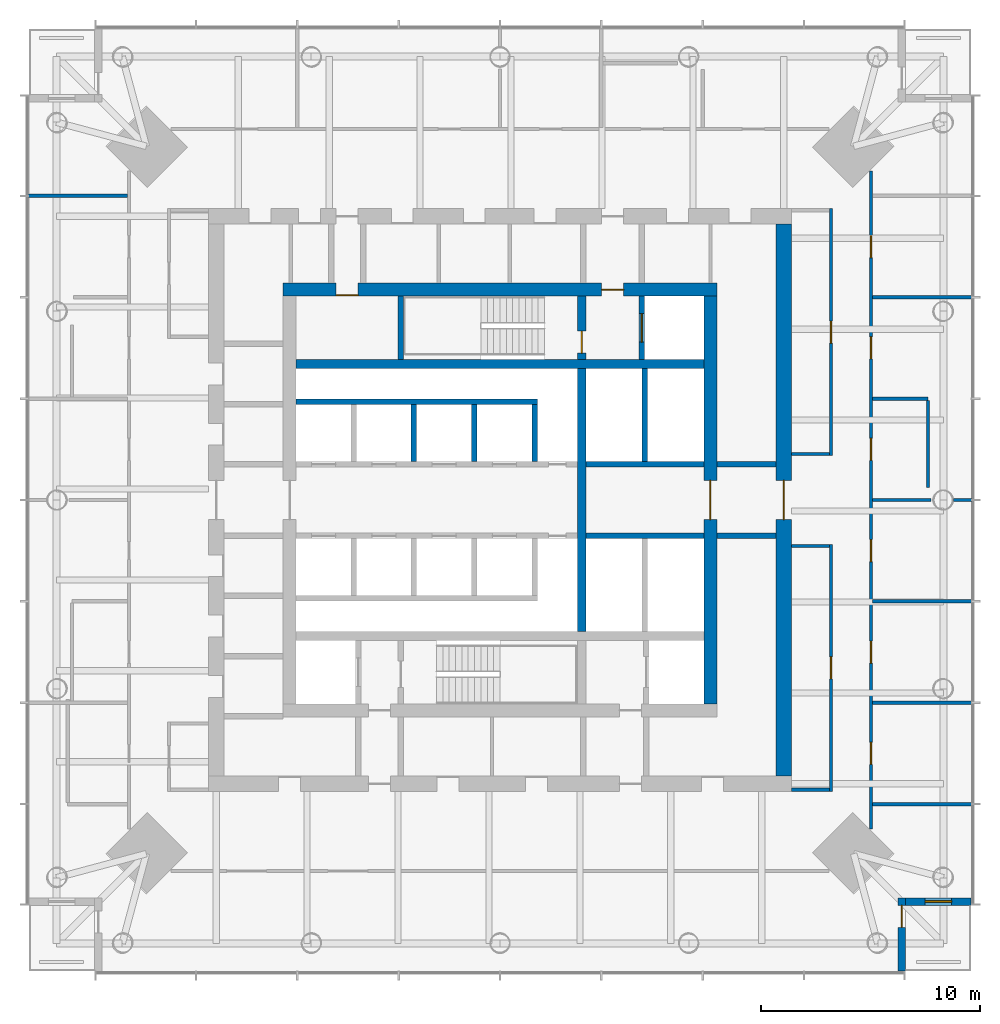
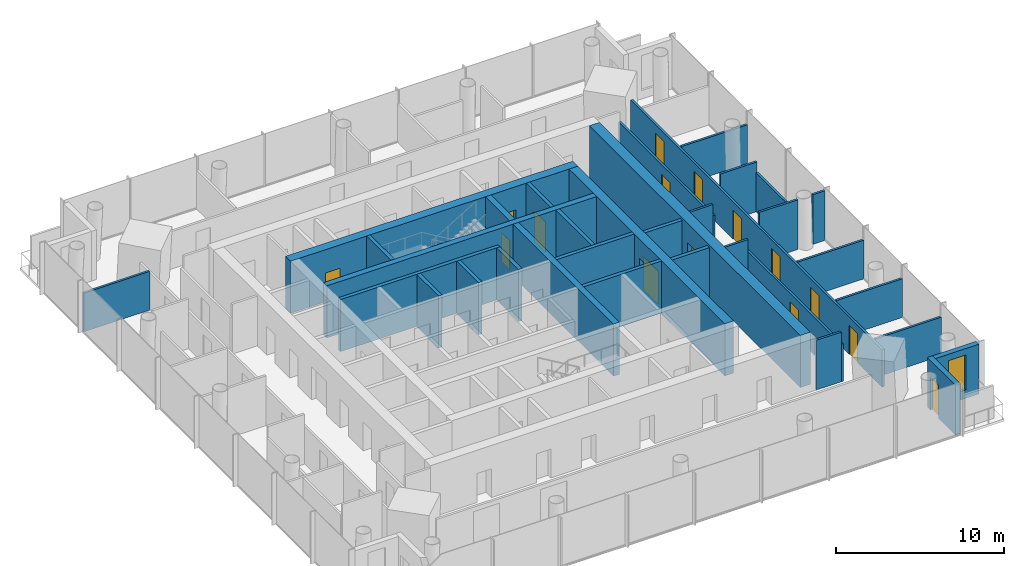
# One storey, part 6 of 9: 34 walls, 15 doors, 1 window, 16 openings.
"""IFC4 building model written with IfcOpenShell, lengths in metres."""

import ifcopenshell
import ifcopenshell.guid

model = None  # the IFC model being written
_history = None  # IfcOwnerHistory: only IFC2X3 demands one
_inside = {}  # id of a spatial element -> (the spatial element, [elements in it])
_under = {}  # id of a project, library or spatial element -> (it, [spatial elements below it])
_declared = {}  # id of a project -> (the project, [libraries it declares])
_typed = {}  # id of a type object -> (the type object, [elements of that type])
_made_of = {}  # id of a material, layer set ... -> (it, [elements and type objects made of it])


def new_model(schema):
    """Start an empty IFC model of exactly this schema.

    Asked for "IFC4X3", IfcOpenShell would pick the latest addendum, in which some entities
    have other attributes; the version numbers below select the first issue.
    IFC2X3 requires an IfcOwnerHistory on every rooted entity: one is made here for all.
    """
    global model, _history
    if schema == "IFC4X3":
        model = ifcopenshell.file(schema_version=(4, 3, 0, 0))
    else:
        model = ifcopenshell.file(schema=schema)
    _inside.clear()
    _under.clear()
    _declared.clear()
    _typed.clear()
    _made_of.clear()
    _history = None
    if model.schema == "IFC2X3":
        org = make("IfcOrganization", Name="unknown")
        user = make(
            "IfcPersonAndOrganization",
            ThePerson=make("IfcPerson", FamilyName="unknown"),
            TheOrganization=org,
        )
        app = make(
            "IfcApplication",
            ApplicationDeveloper=org,
            Version="unknown",
            ApplicationFullName="unknown",
            ApplicationIdentifier="unknown",
        )
        _history = make(
            "IfcOwnerHistory",
            OwningUser=user,
            OwningApplication=app,
            ChangeAction="ADDED",
            CreationDate=0,
        )
    return model


def make(cls, **values):
    """One entity of the class cls with the attributes given. An attribute that is None is left unset."""
    return model.create_entity(
        cls, **{name: value for name, value in values.items() if value is not None}
    )


def rooted(cls, **values):
    """An entity with a GlobalId (a new one), such as an element, a storey or a relation."""
    return make(cls, GlobalId=ifcopenshell.guid.new(), OwnerHistory=_history, **values)


def si_unit(unit_type, name, prefix=None):
    """IfcSIUnit, for example si_unit("LENGTHUNIT", "METRE", prefix="MILLI")."""
    return make("IfcSIUnit", UnitType=unit_type, Prefix=prefix, Name=name)


def assignment(units):
    """IfcUnitAssignment: the units of a project."""
    return None if units is None else make("IfcUnitAssignment", Units=units)


def point(xyz):
    """IfcCartesianPoint."""
    return None if xyz is None else make("IfcCartesianPoint", Coordinates=xyz)


def direction(xyz):
    """IfcDirection."""
    return None if xyz is None else make("IfcDirection", DirectionRatios=xyz)


def frame(location, z_axis=None, x_axis=None):
    """IfcAxis2Placement3D, a coordinate frame: its origin and axes. An axis left out is left unset."""
    return make(
        "IfcAxis2Placement3D",
        Location=point(location),
        Axis=direction(z_axis),
        RefDirection=direction(x_axis),
    )


def frame_2d(location, x_axis=None):
    """IfcAxis2Placement2D, a coordinate frame in the plane: its origin and x axis."""
    return make(
        "IfcAxis2Placement2D", Location=point(location), RefDirection=direction(x_axis)
    )


def origin():
    """The frame at (0, 0, 0) with its axes left unset."""
    return frame((0.0, 0.0, 0.0))


def place(relative_to, where):
    """IfcLocalPlacement: puts the frame where relative to a parent placement (None: the world)."""
    return make(
        "IfcLocalPlacement", PlacementRelTo=relative_to, RelativePlacement=where
    )


def context(
    kind, dimensions, precision=None, world=None, true_north=None, identifier=None
):
    """IfcGeometricRepresentationContext, for example the 3D "Model" context."""
    return make(
        "IfcGeometricRepresentationContext",
        ContextIdentifier=identifier,
        ContextType=kind,
        CoordinateSpaceDimension=dimensions,
        Precision=precision,
        WorldCoordinateSystem=world,
        TrueNorth=true_north,
    )


def subcontext(parent, identifier, kind, view, scale=None):
    """IfcGeometricRepresentationSubContext, for example "Body" below "Model"."""
    return make(
        "IfcGeometricRepresentationSubContext",
        ContextIdentifier=identifier,
        ContextType=kind,
        ParentContext=parent,
        TargetScale=scale,
        TargetView=view,
    )


def project(units=None, contexts=None):
    """IfcProject with its units and contexts."""
    return rooted(
        "IfcProject",
        Name="project",
        RepresentationContexts=contexts,
        UnitsInContext=assignment(units),
    )


def spatial(cls, under=None, at=None, **own):
    """A site, building, storey or space (cls), placed at a placement, below another one or the project."""
    s = rooted(cls, ObjectPlacement=at, **own)
    if under is not None:
        _under.setdefault(under.id(), (under, []))[1].append(s)
    return s


def profile(cls, at=None, kind="AREA", **sizes):
    """A parametric profile (cls). Its sizes go by their IFC names, for example OverallWidth=200.0."""
    return make(cls, ProfileType=kind, Position=at, **sizes)


def rectangle(**sizes):
    """IfcRectangleProfileDef."""
    return profile("IfcRectangleProfileDef", **sizes)


def extrude(swept, where, along, depth):
    """IfcExtrudedAreaSolid: the profile swept, set in the frame where, extruded along a direction by depth."""
    return make(
        "IfcExtrudedAreaSolid",
        SweptArea=swept,
        Position=where,
        ExtrudedDirection=direction(along),
        Depth=depth,
    )


def shape(context_of_items, identifier, shape_type, items):
    """IfcShapeRepresentation: the items that make up one representation, for example the "Body"."""
    return make(
        "IfcShapeRepresentation",
        ContextOfItems=context_of_items,
        RepresentationIdentifier=identifier,
        RepresentationType=shape_type,
        Items=items,
    )


def material(Name=None, Category=None):
    """IfcMaterial."""
    return make("IfcMaterial", Name=Name, Category=Category)


def layer(
    of_material, thickness, ventilated=None, Name=None, Category=None, Priority=None
):
    """IfcMaterialLayer: one layer of a wall or slab, of a material (None: an air gap)."""
    return make(
        "IfcMaterialLayer",
        Material=of_material,
        LayerThickness=thickness,
        IsVentilated=ventilated,
        Name=Name,
        Category=Category,
        Priority=Priority,
    )


def layer_set(layers, Name=None):
    """IfcMaterialLayerSet."""
    return make("IfcMaterialLayerSet", MaterialLayers=layers, LayerSetName=Name)


def made_of(thing, what):
    """Note that an element or type object is made of a material, layer set ...; save() writes the relation."""
    if what is not None:
        _made_of.setdefault(what.id(), (what, []))[1].append(thing)
    return thing


def type_object(cls, material=None, **own):
    """A type object (cls), such as IfcWallType, which elements share."""
    return made_of(rooted(cls, **own), material)


def element(
    cls,
    number,
    at=None,
    inside=None,
    cuts=None,
    type_object=None,
    material=None,
    context=None,
    identifier="Body",
    shape_type=None,
    held_by="IfcProductDefinitionShape",
    body=None,
    shapes=None,
    **own,
):
    """One element of the class cls, such as IfcWall. Its Tag is "e" and its number.

    at: its placement. inside: the storey or other place that contains it. cuts: it is an
    opening in that element (IfcRelVoidsElement). A single representation is given by context,
    identifier, shape_type and body (its items); several are given by shapes. held_by: the class
    of the entity that holds the representations. save() writes the other relations.
    """
    e = rooted(cls, Tag="e%d" % number, ObjectPlacement=at, **own)
    if body is not None:
        shapes = [shape(context, identifier, shape_type, body)]
    if shapes is not None:
        e.Representation = make(held_by, Representations=shapes)
    if inside is not None:
        _inside.setdefault(inside.id(), (inside, []))[1].append(e)
    if cuts is not None:
        rooted(
            "IfcRelVoidsElement", RelatingBuildingElement=cuts, RelatedOpeningElement=e
        )
    if type_object is not None:
        _typed.setdefault(type_object.id(), (type_object, []))[1].append(e)
    return made_of(e, material)


def fill(opening, filler):
    """IfcRelFillsElement: the door or window that sits in an opening."""
    return rooted(
        "IfcRelFillsElement",
        RelatingOpeningElement=opening,
        RelatedBuildingElement=filler,
    )


def aggregate(whole, parts):
    """IfcRelAggregates: a whole, such as a stair, and the parts it consists of."""
    return rooted("IfcRelAggregates", RelatingObject=whole, RelatedObjects=parts)


def save(model, path):
    """Write the relations noted so far, then the file.

    IfcRelAggregates (storeys below a building ...), IfcRelContainedInSpatialStructure (elements
    in a storey), IfcRelDefinesByType, IfcRelAssociatesMaterial and IfcRelDeclares: one each for
    every whole, place, type object, material and project.
    """
    for whole, parts in _under.values():
        aggregate(whole, parts)
    for where, things in _inside.values():
        rooted(
            "IfcRelContainedInSpatialStructure",
            RelatedElements=things,
            RelatingStructure=where,
        )
    for kind, things in _typed.values():
        rooted("IfcRelDefinesByType", RelatedObjects=things, RelatingType=kind)
    for what, things in _made_of.values():
        rooted("IfcRelAssociatesMaterial", RelatedObjects=things, RelatingMaterial=what)
    for by, libraries in _declared.values():
        rooted("IfcRelDeclares", RelatingContext=by, RelatedDefinitions=libraries)
    model.write(path)


model = new_model("IFC4")

# Units and contexts
model_context = context("Model", 3, precision=1e-05, world=origin(), true_north=direction((0.0, 1.0)))
body_context = subcontext(model_context, "Body", "Model", "MODEL_VIEW")
ifc_project = project(units=[si_unit("LENGTHUNIT", "METRE"), si_unit("AREAUNIT", "SQUARE_METRE"), si_unit("VOLUMEUNIT", "CUBIC_METRE"), si_unit("PLANEANGLEUNIT", "RADIAN"), si_unit("MASSUNIT", "GRAM", prefix="KILO")], contexts=[model_context])

# Site, building, storey
site_placement = place(None, origin())
site = spatial("IfcSite", under=ifc_project, at=site_placement, CompositionType="ELEMENT")
building_placement = place(site_placement, origin())
building = spatial("IfcBuilding", under=site, at=building_placement, Name="Ostroluk Exchange", CompositionType="ELEMENT")
storey_placement = place(building_placement, frame((0.0, 0.0, 138.800048828125)))
storey = spatial("IfcBuildingStorey", under=building, at=storey_placement, Name="L35", CompositionType="ELEMENT", Elevation=138.800048828125)

# Walls
ifc_material_1 = material(Name="Concrete blockwork", Category="masonry")
ifc_layer_1 = layer(ifc_material_1, 0.25)
ifc_layer_set_1 = layer_set([ifc_layer_1], Name="Blockwork stair enclosure wall 250")
wall_type_1 = type_object("IfcWallType", Name="Blockwork stair enclosure wall 250", PredefinedType="SOLIDWALL", material=ifc_layer_set_1)
for number, where, z_axis, x_axis, name in (
    (1, (54.89990234375, 44.375, 0.0), (0.0, 0.0, 1.0), (1.0, 0.0, 0.0), "Lift lobby enclosure wall"),
    (2, (54.89990234375, 47.625, 0.0), (0.0, 0.0, 1.0), (1.0, 0.0, 0.0), "Lift lobby enclosure wall"),
):
    element("IfcWall", number, at=place(storey_placement, frame(where, z_axis=z_axis, x_axis=x_axis)), inside=storey, type_object=wall_type_1, Name=name, PredefinedType="SOLIDWALL", context=body_context, shape_type="SweptSolid", body=[
        extrude(rectangle(XDim=2.7001953125, YDim=0.25, at=frame_2d((1.35009765625, 0.0))), origin(), (0.0, 0.0, 1.0), 3.619873046875),
    ])
ifc_material_2 = material(Name="Concrete C50/60", Category="concrete")
ifc_layer_2 = layer(ifc_material_2, 0.39990234375)
ifc_layer_set_2 = layer_set([ifc_layer_2], Name="Core cross wall 400 C50/60")
wall_type_2 = type_object("IfcWallType", Name="Core cross wall 400 C50/60", PredefinedType="SHEAR", material=ifc_layer_set_2)
wall_1_placement = place(storey_placement, frame((35.699951171875, 52.199951171875, 0.0), z_axis=(0.0, 0.0, 1.0), x_axis=(1.0, 0.0, 0.0)))
element("IfcWall", 3, at=wall_1_placement, inside=storey, type_object=wall_type_2, Name="T1 core wall XN", PredefinedType="SHEAR", context=body_context, shape_type="SweptSolid", body=[
    extrude(rectangle(XDim=18.60009765625, YDim=0.39990234375, at=frame_2d((9.300048828125, 0.0))), origin(), (0.0, 0.0, 1.0), 3.800048828125),
])
wall_2_placement = place(storey_placement, frame((48.72998046875, 40.0, 0.0), z_axis=(0.0, 0.0, 1.0), x_axis=(0.0, 1.0, 0.0)))
element("IfcWall", 4, at=wall_2_placement, inside=storey, type_object=wall_type_2, Name="T1 core wall YE2", PredefinedType="SHEAR", context=body_context, shape_type="SweptSolid", body=[
    extrude(rectangle(XDim=12.0, YDim=0.39990234375, at=frame_2d((6.0, 0.0))), origin(), (0.0, 0.0, 1.0), 3.800048828125),
])

# Wall, opening, door
wall_3_placement = place(storey_placement, frame((48.72998046875, 52.39990234375, 0.0), z_axis=(0.0, 0.0, 1.0), x_axis=(0.0, 1.0, 0.0)))
wall_3 = element("IfcWall", 5, at=wall_3_placement, inside=storey, type_object=wall_type_2, Name="T1 core wall YE3", PredefinedType="SHEAR", context=body_context, shape_type="SweptSolid", body=[
    extrude(rectangle(XDim=2.900146484375, YDim=0.39990234375, at=frame_2d((1.4501953125, 0.0))), origin(), (0.0, 0.0, 1.0), 3.800048828125),
])
opening_1_placement = place(wall_3_placement, frame((0.300048828125, 0.0, 0.0)))
opening_1 = element("IfcOpeningElement", 6, at=opening_1_placement, cuts=wall_3, Name="Opening FD60", PredefinedType="OPENING", context=body_context, shape_type="SweptSolid", body=[
    extrude(rectangle(XDim=1.0, YDim=2.10009765625, at=frame_2d((0.5, 1.050048828125))), frame((0.0, 0.2099609375, 0.0), z_axis=(0.0, -1.0, 0.0), x_axis=(1.0, 0.0, 0.0)), (0.0, 0.0, 1.0), 0.419921875),
])
ifc_material_3 = material(Name="Steel", Category="steel")
door_type_1 = type_object("IfcDoorType", Name="Fire door EI 60 1000 x 2100", OperationType="SINGLE_SWING_LEFT", PredefinedType="DOOR", material=ifc_material_3)
door_1_placement = place(opening_1_placement, origin())
door_1 = element("IfcDoor", 7, at=door_1_placement, inside=storey, type_object=door_type_1, Name="Stair T1-S2 door", OperationType="SINGLE_SWING_LEFT", OverallHeight=2.10009765625, OverallWidth=1.0, PredefinedType="DOOR", context=body_context, shape_type="SweptSolid", body=[
    extrude(rectangle(XDim=1.0, YDim=2.10009765625, at=frame_2d((0.5, 1.050048828125))), frame((0.0, 0.02490234375, 0.0), z_axis=(0.0, -1.0, 0.0), x_axis=(1.0, 0.0, 0.0)), (0.0, 0.0, 1.0), 0.050048828125),
])
fill(opening_1, door_1)

# Wall
ifc_material_4 = material(Name="Concrete C40/50", Category="concrete")
ifc_layer_3 = layer(ifc_material_4, 0.25)
ifc_layer_set_3 = layer_set([ifc_layer_3], Name="Core shaft wall 250")
wall_type_3 = type_object("IfcWallType", Name="Core shaft wall 250", PredefinedType="SHEAR", material=ifc_layer_set_3)
wall_4_placement = place(storey_placement, frame((40.47509765625, 52.39990234375, 0.0), z_axis=(0.0, 0.0, 1.0), x_axis=(0.0, 1.0, 0.0)))
element("IfcWall", 8, at=wall_4_placement, inside=storey, type_object=wall_type_3, Name="Stair shaft wall", PredefinedType="SHEAR", context=body_context, shape_type="SweptSolid", body=[
    extrude(rectangle(XDim=2.900146484375, YDim=0.25, at=frame_2d((1.4501953125, 0.0))), origin(), (0.0, 0.0, 1.0), 3.800048828125),
])

# Wall, opening, door
wall_5_placement = place(storey_placement, frame((51.47509765625, 52.39990234375, 0.0), z_axis=(0.0, 0.0, 1.0), x_axis=(0.0, 1.0, 0.0)))
wall_5 = element("IfcWall", 9, at=wall_5_placement, inside=storey, type_object=wall_type_3, Name="Firefighting lift shaft wall", PredefinedType="SHEAR", context=body_context, shape_type="SweptSolid", body=[
    extrude(rectangle(XDim=2.900146484375, YDim=0.25, at=frame_2d((1.4501953125, 0.0))), origin(), (0.0, 0.0, 1.0), 3.800048828125),
])
opening_2_placement = place(wall_5_placement, frame((0.800048828125, 0.0, 0.0)))
opening_2 = element("IfcOpeningElement", 10, at=opening_2_placement, cuts=wall_5, Name="Opening LD2", PredefinedType="OPENING", context=body_context, shape_type="SweptSolid", body=[
    extrude(rectangle(XDim=1.300048828125, YDim=2.199951171875, at=frame_2d((0.64990234375, 1.10009765625))), frame((0.0, 0.135009765625, 0.0), z_axis=(0.0, -1.0, 0.0), x_axis=(1.0, 0.0, 0.0)), (0.0, 0.0, 1.0), 0.27001953125),
])
ifc_material_5 = material(Name="Stainless steel", Category="steel")
door_type_2 = type_object("IfcDoorType", Name="Lift landing door E 60 1300 x 2200", OperationType="DOUBLE_DOOR_SLIDING", PredefinedType="DOOR", material=ifc_material_5)
door_2_placement = place(opening_2_placement, origin())
door_2 = element("IfcDoor", 11, at=door_2_placement, inside=storey, type_object=door_type_2, Name="Lift FL2 landing door", OperationType="DOUBLE_DOOR_SLIDING", OverallHeight=2.199951171875, OverallWidth=1.300048828125, PredefinedType="DOOR", context=body_context, shape_type="SweptSolid", body=[
    extrude(rectangle(XDim=1.300048828125, YDim=2.199951171875, at=frame_2d((0.64990234375, 1.10009765625))), frame((0.0, 0.02490234375, 0.0), z_axis=(0.0, -1.0, 0.0), x_axis=(1.0, 0.0, 0.0)), (0.0, 0.0, 1.0), 0.050048828125),
])
fill(opening_2, door_2)

# Walls
for number, where, z_axis, x_axis, name in (
    (12, (41.074951171875, 47.75, 0.0), (0.0, 0.0, 1.0), (0.0, 1.0, 0.0), "Lift shaft wall"),
    (13, (43.824951171875, 47.75, 0.0), (0.0, 0.0, 1.0), (0.0, 1.0, 0.0), "Lift shaft wall"),
    (14, (46.574951171875, 47.75, 0.0), (0.0, 0.0, 1.0), (0.0, 1.0, 0.0), "Lift shaft wall"),
):
    element("IfcWall", number, at=place(storey_placement, frame(where, z_axis=z_axis, x_axis=x_axis)), inside=storey, type_object=wall_type_3, Name=name, PredefinedType="SHEAR", context=body_context, shape_type="SweptSolid", body=[
        extrude(rectangle(XDim=2.60009765625, YDim=0.25, at=frame_2d((1.300048828125, 0.0))), origin(), (0.0, 0.0, 1.0), 3.800048828125),
    ])
wall_6_placement = place(storey_placement, frame((35.699951171875, 50.47509765625, 0.0), z_axis=(0.0, 0.0, 1.0), x_axis=(1.0, 0.0, 0.0)))
element("IfcWall", 15, at=wall_6_placement, inside=storey, type_object=wall_type_3, Name="Lift shaft wall", PredefinedType="SHEAR", context=body_context, shape_type="SweptSolid", body=[
    extrude(rectangle(XDim=11.0, YDim=0.25, at=frame_2d((5.5, 0.0))), origin(), (0.0, 0.0, 1.0), 3.800048828125),
])
wall_7_placement = place(storey_placement, frame((51.614990234375, 47.75, 0.0), z_axis=(0.0, 0.0, 1.0), x_axis=(0.0, 1.0, 0.0)))
element("IfcWall", 16, at=wall_7_placement, inside=storey, type_object=wall_type_3, Name="Lift shaft wall", PredefinedType="SHEAR", context=body_context, shape_type="SweptSolid", body=[
    extrude(rectangle(XDim=4.25, YDim=0.25, at=frame_2d((2.125, 0.0))), origin(), (0.0, 0.0, 1.0), 3.800048828125),
])
for number, where, z_axis, x_axis, name in (
    (17, (48.929931640625, 47.625, 0.0), (0.0, 0.0, 1.0), (1.0, 0.0, 0.0), "Lift shaft front wall"),
    (18, (48.929931640625, 44.375, 0.0), (0.0, 0.0, 1.0), (1.0, 0.0, 0.0), "Lift shaft front wall"),
):
    element("IfcWall", number, at=place(storey_placement, frame(where, z_axis=z_axis, x_axis=x_axis)), inside=storey, type_object=wall_type_3, Name=name, PredefinedType="SHEAR", context=body_context, shape_type="SweptSolid", body=[
        extrude(rectangle(XDim=5.3701171875, YDim=0.25, at=frame_2d((2.68505859375, 0.0))), origin(), (0.0, 0.0, 1.0), 3.800048828125),
    ])

# Wall, openings, doors
ifc_material_6 = material(Name="Concrete C50/60", Category="concrete")
ifc_layer_4 = layer(ifc_material_6, 0.60009765625)
ifc_layer_set_4 = layer_set([ifc_layer_4], Name="Core wall 600 C50/60")
wall_type_4 = type_object("IfcWallType", Name="Core wall 600 C50/60", PredefinedType="SHEAR", material=ifc_layer_set_4)
wall_8_placement = place(storey_placement, frame((35.10009765625, 55.60009765625, 0.0), z_axis=(0.0, 0.0, 1.0), x_axis=(1.0, 0.0, 0.0)))
wall_8 = element("IfcWall", 19, at=wall_8_placement, inside=storey, type_object=wall_type_4, Name="T1 core wall N", PredefinedType="SHEAR", context=body_context, shape_type="SweptSolid", body=[
    extrude(rectangle(XDim=19.7998046875, YDim=0.60009765625, at=frame_2d((9.89990234375, 0.0))), origin(), (0.0, 0.0, 1.0), 3.800048828125),
])
opening_3_placement = place(wall_8_placement, frame((14.5400390625, 0.0, 0.0)))
opening_3 = element("IfcOpeningElement", 20, at=opening_3_placement, cuts=wall_8, Name="Opening FD60", PredefinedType="OPENING", context=body_context, shape_type="SweptSolid", body=[
    extrude(rectangle(XDim=1.0, YDim=2.10009765625, at=frame_2d((0.5, 1.050048828125))), frame((0.0, 0.31005859375, 0.0), z_axis=(0.0, -1.0, 0.0), x_axis=(1.0, 0.0, 0.0)), (0.0, 0.0, 1.0), 0.6201171875),
])
opening_4_placement = place(wall_8_placement, frame((2.425048828125, 0.0, 0.0)))
opening_4 = element("IfcOpeningElement", 21, at=opening_4_placement, cuts=wall_8, Name="Opening FD60", PredefinedType="OPENING", context=body_context, shape_type="SweptSolid", body=[
    extrude(rectangle(XDim=1.0, YDim=2.10009765625, at=frame_2d((0.5, 1.050048828125))), frame((0.0, 0.31005859375, 0.0), z_axis=(0.0, -1.0, 0.0), x_axis=(1.0, 0.0, 0.0)), (0.0, 0.0, 1.0), 0.6201171875),
])
door_3_placement = place(opening_3_placement, origin())
door_3 = element("IfcDoor", 22, at=door_3_placement, inside=storey, type_object=door_type_1, Name="Firefighting lobby door", OperationType="SINGLE_SWING_RIGHT", OverallHeight=2.10009765625, OverallWidth=1.0, PredefinedType="DOOR", context=body_context, shape_type="SweptSolid", body=[
    extrude(rectangle(XDim=1.0, YDim=2.10009765625, at=frame_2d((0.5, 1.050048828125))), frame((0.0, 0.02490234375, 0.0), z_axis=(0.0, -1.0, 0.0), x_axis=(1.0, 0.0, 0.0)), (0.0, 0.0, 1.0), 0.050048828125),
])
fill(opening_3, door_3)
door_4_placement = place(opening_4_placement, origin())
door_4 = element("IfcDoor", 23, at=door_4_placement, inside=storey, type_object=door_type_1, Name="Tea point door", OperationType="SINGLE_SWING_LEFT", OverallHeight=2.10009765625, OverallWidth=1.0, PredefinedType="DOOR", context=body_context, shape_type="SweptSolid", body=[
    extrude(rectangle(XDim=1.0, YDim=2.10009765625, at=frame_2d((0.5, 1.050048828125))), frame((0.0, -0.23974609375, 0.0), z_axis=(0.0, -1.0, 0.0), x_axis=(1.0, 0.0, 0.0)), (0.0, 0.0, 1.0), 0.050048828125),
])
fill(opening_4, door_4)

# Wall, opening, door
wall_9_placement = place(storey_placement, frame((54.60009765625, 36.699951171875, 0.0), z_axis=(0.0, 0.0, 1.0), x_axis=(0.0, 1.0, 0.0)))
wall_9 = element("IfcWall", 24, at=wall_9_placement, inside=storey, type_object=wall_type_4, Name="T1 core wall E", PredefinedType="SHEAR", context=body_context, shape_type="SweptSolid", body=[
    extrude(rectangle(XDim=18.60009765625, YDim=0.60009765625, at=frame_2d((9.300048828125, 0.0))), origin(), (0.0, 0.0, 1.0), 3.800048828125),
])
opening_5_placement = place(wall_9_placement, frame((8.39990234375, 0.0, 0.0)))
opening_5 = element("IfcOpeningElement", 25, at=opening_5_placement, cuts=wall_9, Name="Opening FD30D", PredefinedType="OPENING", context=body_context, shape_type="SweptSolid", body=[
    extrude(rectangle(XDim=1.800048828125, YDim=2.39990234375, at=frame_2d((0.89990234375, 1.199951171875))), frame((0.0, 0.31005859375, 0.0), z_axis=(0.0, -1.0, 0.0), x_axis=(1.0, 0.0, 0.0)), (0.0, 0.0, 1.0), 0.6201171875),
])
ifc_material_7 = material(Name="Timber", Category="wood")
door_type_3 = type_object("IfcDoorType", Name="Lobby double door EI 30 1800 x 2400", OperationType="DOUBLE_DOOR_SINGLE_SWING", PredefinedType="DOOR", material=ifc_material_7)
door_5_placement = place(opening_5_placement, origin())
door_5 = element("IfcDoor", 26, at=door_5_placement, inside=storey, type_object=door_type_3, Name="Lift lobby doors", OperationType="DOUBLE_DOOR_SINGLE_SWING", OverallHeight=2.39990234375, OverallWidth=1.800048828125, PredefinedType="DOOR", context=body_context, shape_type="SweptSolid", body=[
    extrude(rectangle(XDim=1.800048828125, YDim=2.39990234375, at=frame_2d((0.89990234375, 1.199951171875))), frame((0.0, 0.02490234375, 0.0), z_axis=(0.0, -1.0, 0.0), x_axis=(1.0, 0.0, 0.0)), (0.0, 0.0, 1.0), 0.050048828125),
])
fill(opening_5, door_5)

ifc_material_8 = material(Name="Concrete C50/60", Category="concrete")
ifc_layer_5 = layer(ifc_material_8, 0.699951171875)
ifc_layer_set_5 = layer_set([ifc_layer_5], Name="Core wall 700 C50/60")
wall_type_5 = type_object("IfcWallType", Name="Core wall 700 C50/60", PredefinedType="SHEAR", material=ifc_layer_set_5)
wall_10_placement = place(storey_placement, frame((57.949951171875, 33.39990234375, 0.0), z_axis=(0.0, 0.0, 1.0), x_axis=(0.0, 1.0, 0.0)))
wall_10 = element("IfcWall", 27, at=wall_10_placement, inside=storey, type_object=wall_type_5, Name="T1 core wall RE", PredefinedType="SHEAR", context=body_context, shape_type="SweptSolid", body=[
    extrude(rectangle(XDim=25.2001953125, YDim=0.699951171875, at=frame_2d((12.60009765625, 0.0))), origin(), (0.0, 0.0, 1.0), 3.800048828125),
])
opening_6_placement = place(wall_10_placement, frame((11.699951171875, 0.0, 0.0)))
opening_6 = element("IfcOpeningElement", 28, at=opening_6_placement, cuts=wall_10, Name="Opening FD30D", PredefinedType="OPENING", context=body_context, shape_type="SweptSolid", body=[
    extrude(rectangle(XDim=1.800048828125, YDim=2.39990234375, at=frame_2d((0.89990234375, 1.199951171875))), frame((0.0, 0.35986328125, 0.0), z_axis=(0.0, -1.0, 0.0), x_axis=(1.0, 0.0, 0.0)), (0.0, 0.0, 1.0), 0.719970703125),
])
door_6_placement = place(opening_6_placement, origin())
door_6 = element("IfcDoor", 29, at=door_6_placement, inside=storey, type_object=door_type_3, Name="Lift lobby doors", OperationType="DOUBLE_DOOR_SINGLE_SWING", OverallHeight=2.39990234375, OverallWidth=1.800048828125, PredefinedType="DOOR", context=body_context, shape_type="SweptSolid", body=[
    extrude(rectangle(XDim=1.800048828125, YDim=2.39990234375, at=frame_2d((0.89990234375, 1.199951171875))), frame((0.0, 0.02490234375, 0.0), z_axis=(0.0, -1.0, 0.0), x_axis=(1.0, 0.0, 0.0)), (0.0, 0.0, 1.0), 0.050048828125),
])
fill(opening_6, door_6)

ifc_material_9 = material(Name="Limestone", Category="masonry")
ifc_layer_6 = layer(ifc_material_9, 0.35009765625)
ifc_layer_set_6 = layer_set([ifc_layer_6], Name="Limestone facade wall 350")
wall_type_6 = type_object("IfcWallType", Name="Limestone facade wall 350", PredefinedType="SOLIDWALL", material=ifc_layer_set_6)
wall_11_placement = place(storey_placement, frame((63.324951171875, 24.5, 0.0), z_axis=(0.0, 0.0, 1.0), x_axis=(0.0, 1.0, 0.0)))
wall_11 = element("IfcWall", 30, at=wall_11_placement, inside=storey, type_object=wall_type_6, Name="Office tower SE corner wall L35 a", PredefinedType="SOLIDWALL", context=body_context, shape_type="SweptSolid", body=[
    extrude(rectangle(XDim=3.35009765625, YDim=0.35009765625, at=frame_2d((1.675048828125, 0.0))), origin(), (0.0, 0.0, 1.0), 3.619873046875),
])
opening_7_placement = place(wall_11_placement, frame((2.0, 0.0, 0.0)))
opening_7 = element("IfcOpeningElement", 31, at=opening_7_placement, cuts=wall_11, Name="Opening D-B1", PredefinedType="OPENING", context=body_context, shape_type="SweptSolid", body=[
    extrude(rectangle(XDim=1.0, YDim=2.39990234375, at=frame_2d((0.5, 1.199951171875))), frame((0.0, 0.18505859375, 0.0), z_axis=(0.0, -1.0, 0.0), x_axis=(1.0, 0.0, 0.0)), (0.0, 0.0, 1.0), 0.3701171875),
])
ifc_material_10 = material(Name="Bronze framed glazed door", Category="aluminium")
door_type_4 = type_object("IfcDoorType", Name="Balcony door 1000 x 2400", OperationType="SINGLE_SWING_LEFT", PredefinedType="DOOR", material=ifc_material_10)
door_7_placement = place(opening_7_placement, origin())
door_7 = element("IfcDoor", 32, at=door_7_placement, inside=storey, type_object=door_type_4, Name="Office tower SE balcony door L35", OperationType="SINGLE_SWING_RIGHT", OverallHeight=2.39990234375, OverallWidth=1.0, PredefinedType="DOOR", context=body_context, shape_type="SweptSolid", body=[
    extrude(rectangle(XDim=1.0, YDim=2.39990234375, at=frame_2d((0.5, 1.199951171875))), frame((0.0, 0.02490234375, 0.0), z_axis=(0.0, -1.0, 0.0), x_axis=(1.0, 0.0, 0.0)), (0.0, 0.0, 1.0), 0.050048828125),
])
fill(opening_7, door_7)

# Wall, opening, window
wall_12_placement = place(storey_placement, frame((63.5, 27.675048828125, 0.0), z_axis=(0.0, 0.0, 1.0), x_axis=(1.0, 0.0, 0.0)))
wall_12 = element("IfcWall", 33, at=wall_12_placement, inside=storey, type_object=wall_type_6, Name="Office tower SE corner wall L35 b", PredefinedType="SOLIDWALL", context=body_context, shape_type="SweptSolid", body=[
    extrude(rectangle(XDim=3.0, YDim=0.35009765625, at=frame_2d((1.5, 0.0))), origin(), (0.0, 0.0, 1.0), 3.619873046875),
])
opening_8_placement = place(wall_12_placement, frame((0.89990234375, 0.0, 0.60009765625)))
opening_8 = element("IfcOpeningElement", 34, at=opening_8_placement, cuts=wall_12, Name="Opening WN-L1", PredefinedType="OPENING", context=body_context, shape_type="SweptSolid", body=[
    extrude(rectangle(XDim=1.199951171875, YDim=2.550048828125, at=frame_2d((0.60009765625, 1.27490234375))), frame((0.0, 0.18505859375, 0.0), z_axis=(0.0, -1.0, 0.0), x_axis=(1.0, 0.0, 0.0)), (0.0, 0.0, 1.0), 0.3701171875),
])
ifc_material_11 = material(Name="Laminated clear glass", Category="glass")
window_type = type_object("IfcWindowType", Name="Lancet window 1200 x 2550", PartitioningType="SINGLE_PANEL", PredefinedType="WINDOW", material=ifc_material_11)
window_placement = place(opening_8_placement, origin())
window = element("IfcWindow", 35, at=window_placement, inside=storey, type_object=window_type, Name="Office tower SE lancet window L35", OverallHeight=2.550048828125, OverallWidth=1.199951171875, PartitioningType="SINGLE_PANEL", PredefinedType="WINDOW", context=body_context, shape_type="SweptSolid", body=[
    extrude(rectangle(XDim=1.199951171875, YDim=2.550048828125, at=frame_2d((0.60009765625, 1.27490234375))), frame((0.0, 0.030029296875, 0.0), z_axis=(0.0, -1.0, 0.0), x_axis=(1.0, 0.0, 0.0)), (0.0, 0.0, 1.0), 0.06005859375),
])
fill(opening_8, window)

# Wall, opening, door
ifc_material_12 = material(Name="Gypsum plasterboard partition", Category="gypsum")
ifc_layer_7 = layer(ifc_material_12, 0.14990234375)
ifc_layer_set_7 = layer_set([ifc_layer_7], Name="Plasterboard partition 150")
wall_type_7 = type_object("IfcWallType", Name="Plasterboard partition 150", PredefinedType="PARTITIONING", material=ifc_layer_set_7)
wall_13_placement = place(storey_placement, frame((60.10009765625, 32.699951171875, 0.0), z_axis=(0.0, 0.0, 1.0), x_axis=(0.0, 1.0, 0.0)))
wall_13 = element("IfcWall", 36, at=wall_13_placement, inside=storey, type_object=wall_type_7, Name="Partition", PredefinedType="PARTITIONING", context=body_context, shape_type="SweptSolid", body=[
    extrude(rectangle(XDim=11.275146484375, YDim=0.14990234375, at=frame_2d((5.6376953125, 0.0))), origin(), (0.0, 0.0, 1.0), 2.719970703125),
])
opening_9_placement = place(wall_13_placement, frame((5.137451171875, 0.0, 0.0)))
opening_9 = element("IfcOpeningElement", 37, at=opening_9_placement, cuts=wall_13, Name="Opening D-03", PredefinedType="OPENING", context=body_context, shape_type="SweptSolid", body=[
    extrude(rectangle(XDim=1.0, YDim=2.10009765625, at=frame_2d((0.5, 1.050048828125))), frame((0.0, 0.0849609375, 0.0), z_axis=(0.0, -1.0, 0.0), x_axis=(1.0, 0.0, 0.0)), (0.0, 0.0, 1.0), 0.169921875),
])
ifc_material_13 = material(Name="Timber", Category="wood")
door_type_5 = type_object("IfcDoorType", Name="Internal door 1000 x 2100", OperationType="SINGLE_SWING_LEFT", PredefinedType="DOOR", material=ifc_material_13)
door_8_placement = place(opening_9_placement, origin())
door_8 = element("IfcDoor", 38, at=door_8_placement, inside=storey, type_object=door_type_5, Name="Interview room door", OperationType="SINGLE_SWING_RIGHT", OverallHeight=2.10009765625, OverallWidth=1.0, PredefinedType="DOOR", context=body_context, shape_type="SweptSolid", body=[
    extrude(rectangle(XDim=1.0, YDim=2.10009765625, at=frame_2d((0.5, 1.050048828125))), frame((0.0, 0.02490234375, 0.0), z_axis=(0.0, -1.0, 0.0), x_axis=(1.0, 0.0, 0.0)), (0.0, 0.0, 1.0), 0.050048828125),
])
fill(opening_9, door_8)

# Walls
for number, where, z_axis, x_axis, name in (
    (39, (58.300048828125, 32.77490234375, 0.0), (0.0, 0.0, 1.0), (1.0, 0.0, 0.0), "Partition"),
    (40, (58.300048828125, 43.89990234375, 0.0), (0.0, 0.0, 1.0), (1.0, 0.0, 0.0), "Partition"),
):
    element("IfcWall", number, at=place(storey_placement, frame(where, z_axis=z_axis, x_axis=x_axis)), inside=storey, type_object=wall_type_7, Name=name, PredefinedType="PARTITIONING", context=body_context, shape_type="SweptSolid", body=[
        extrude(rectangle(XDim=1.724853515625, YDim=0.14990234375, at=frame_2d((0.8623046875, 0.0))), origin(), (0.0, 0.0, 1.0), 3.619873046875),
    ])

# Wall, opening, door
wall_14_placement = place(storey_placement, frame((60.10009765625, 48.02490234375, 0.0), z_axis=(0.0, 0.0, 1.0), x_axis=(0.0, 1.0, 0.0)))
wall_14 = element("IfcWall", 41, at=wall_14_placement, inside=storey, type_object=wall_type_7, Name="Partition", PredefinedType="PARTITIONING", context=body_context, shape_type="SweptSolid", body=[
    extrude(rectangle(XDim=11.275146484375, YDim=0.14990234375, at=frame_2d((5.6376953125, 0.0))), origin(), (0.0, 0.0, 1.0), 2.805908203125),
])
opening_10_placement = place(wall_14_placement, frame((5.137451171875, 0.0, 0.0)))
opening_10 = element("IfcOpeningElement", 42, at=opening_10_placement, cuts=wall_14, Name="Opening D-03", PredefinedType="OPENING", context=body_context, shape_type="SweptSolid", body=[
    extrude(rectangle(XDim=1.0, YDim=2.10009765625, at=frame_2d((0.5, 1.050048828125))), frame((0.0, 0.0849609375, 0.0), z_axis=(0.0, -1.0, 0.0), x_axis=(1.0, 0.0, 0.0)), (0.0, 0.0, 1.0), 0.169921875),
])
door_9_placement = place(opening_10_placement, origin())
door_9 = element("IfcDoor", 43, at=door_9_placement, inside=storey, type_object=door_type_5, Name="Quiet room door", OperationType="SINGLE_SWING_RIGHT", OverallHeight=2.10009765625, OverallWidth=1.0, PredefinedType="DOOR", context=body_context, shape_type="SweptSolid", body=[
    extrude(rectangle(XDim=1.0, YDim=2.10009765625, at=frame_2d((0.5, 1.050048828125))), frame((0.0, 0.02490234375, 0.0), z_axis=(0.0, -1.0, 0.0), x_axis=(1.0, 0.0, 0.0)), (0.0, 0.0, 1.0), 0.050048828125),
])
fill(opening_10, door_9)

# Walls
wall_15_placement = place(storey_placement, frame((58.300048828125, 48.10009765625, 0.0), z_axis=(0.0, 0.0, 1.0), x_axis=(1.0, 0.0, 0.0)))
element("IfcWall", 44, at=wall_15_placement, inside=storey, type_object=wall_type_7, Name="Partition", PredefinedType="PARTITIONING", context=body_context, shape_type="SweptSolid", body=[
    extrude(rectangle(XDim=1.724853515625, YDim=0.14990234375, at=frame_2d((0.8623046875, 0.0))), origin(), (0.0, 0.0, 1.0), 3.619873046875),
])
wall_16_placement = place(storey_placement, frame((64.52490234375, 46.5673828125, 0.0), z_axis=(0.0, 0.0, 1.0), x_axis=(0.0, 1.0, 0.0)))
element("IfcWall", 45, at=wall_16_placement, inside=storey, type_object=wall_type_7, Name="Partition", PredefinedType="PARTITIONING", context=body_context, shape_type="SweptSolid", body=[
    extrude(rectangle(XDim=3.982666015625, YDim=0.14990234375, at=frame_2d((1.9912109375, 0.0))), origin(), (0.0, 0.0, 1.0), 2.85791015625),
])

# Wall, openings, doors
wall_17_placement = place(storey_placement, frame((61.925048828125, 30.988525390625, 0.0), z_axis=(0.0, 0.0, 1.0), x_axis=(0.0, 1.0, 0.0)))
wall_17 = element("IfcWall", 46, at=wall_17_placement, inside=storey, type_object=wall_type_7, Name="Partition", PredefinedType="PARTITIONING", context=body_context, shape_type="SweptSolid", body=[
    extrude(rectangle(XDim=30.02294921875, YDim=0.14990234375, at=frame_2d((15.011474609375, 0.0))), origin(), (0.0, 0.0, 1.0), 2.719970703125),
])
opening_11_placement = place(wall_17_placement, frame((2.948974609375, 0.0, 0.0)))
opening_11 = element("IfcOpeningElement", 47, at=opening_11_placement, cuts=wall_17, Name="Opening D-03", PredefinedType="OPENING", context=body_context, shape_type="SweptSolid", body=[
    extrude(rectangle(XDim=1.0, YDim=2.10009765625, at=frame_2d((0.5, 1.050048828125))), frame((0.0, 0.0849609375, 0.0), z_axis=(0.0, -1.0, 0.0), x_axis=(1.0, 0.0, 0.0)), (0.0, 0.0, 1.0), 0.169921875),
])
opening_12_placement = place(wall_17_placement, frame((7.573974609375, 0.0, 0.0)))
opening_12 = element("IfcOpeningElement", 48, at=opening_12_placement, cuts=wall_17, Name="Opening D-03", PredefinedType="OPENING", context=body_context, shape_type="SweptSolid", body=[
    extrude(rectangle(XDim=1.0, YDim=2.10009765625, at=frame_2d((0.5, 1.050048828125))), frame((0.0, 0.0849609375, 0.0), z_axis=(0.0, -1.0, 0.0), x_axis=(1.0, 0.0, 0.0)), (0.0, 0.0, 1.0), 0.169921875),
])
opening_13_placement = place(wall_17_placement, frame((12.198974609375, 0.0, 0.0)))
opening_13 = element("IfcOpeningElement", 49, at=opening_13_placement, cuts=wall_17, Name="Opening D-03", PredefinedType="OPENING", context=body_context, shape_type="SweptSolid", body=[
    extrude(rectangle(XDim=1.0, YDim=2.10009765625, at=frame_2d((0.5, 1.050048828125))), frame((0.0, 0.0849609375, 0.0), z_axis=(0.0, -1.0, 0.0), x_axis=(1.0, 0.0, 0.0)), (0.0, 0.0, 1.0), 0.169921875),
])
opening_14_placement = place(wall_17_placement, frame((16.823974609375, 0.0, 0.0)))
opening_14 = element("IfcOpeningElement", 50, at=opening_14_placement, cuts=wall_17, Name="Opening D-03", PredefinedType="OPENING", context=body_context, shape_type="SweptSolid", body=[
    extrude(rectangle(XDim=1.0, YDim=2.10009765625, at=frame_2d((0.5, 1.050048828125))), frame((0.0, 0.0849609375, 0.0), z_axis=(0.0, -1.0, 0.0), x_axis=(1.0, 0.0, 0.0)), (0.0, 0.0, 1.0), 0.169921875),
])
opening_15_placement = place(wall_17_placement, frame((21.448974609375, 0.0, 0.0)))
opening_15 = element("IfcOpeningElement", 51, at=opening_15_placement, cuts=wall_17, Name="Opening D-03", PredefinedType="OPENING", context=body_context, shape_type="SweptSolid", body=[
    extrude(rectangle(XDim=1.0, YDim=2.10009765625, at=frame_2d((0.5, 1.050048828125))), frame((0.0, 0.0849609375, 0.0), z_axis=(0.0, -1.0, 0.0), x_axis=(1.0, 0.0, 0.0)), (0.0, 0.0, 1.0), 0.169921875),
])
opening_16_placement = place(wall_17_placement, frame((26.073974609375, 0.0, 0.0)))
opening_16 = element("IfcOpeningElement", 52, at=opening_16_placement, cuts=wall_17, Name="Opening D-03", PredefinedType="OPENING", context=body_context, shape_type="SweptSolid", body=[
    extrude(rectangle(XDim=1.0, YDim=2.10009765625, at=frame_2d((0.5, 1.050048828125))), frame((0.0, 0.0849609375, 0.0), z_axis=(0.0, -1.0, 0.0), x_axis=(1.0, 0.0, 0.0)), (0.0, 0.0, 1.0), 0.169921875),
])
door_10_placement = place(opening_11_placement, origin())
door_10 = element("IfcDoor", 53, at=door_10_placement, inside=storey, type_object=door_type_5, Name="Office door", OperationType="SINGLE_SWING_LEFT", OverallHeight=2.10009765625, OverallWidth=1.0, PredefinedType="DOOR", context=body_context, shape_type="SweptSolid", body=[
    extrude(rectangle(XDim=1.0, YDim=2.10009765625, at=frame_2d((0.5, 1.050048828125))), frame((0.0, 0.02490234375, 0.0), z_axis=(0.0, -1.0, 0.0), x_axis=(1.0, 0.0, 0.0)), (0.0, 0.0, 1.0), 0.050048828125),
])
fill(opening_11, door_10)
door_11_placement = place(opening_12_placement, origin())
door_11 = element("IfcDoor", 54, at=door_11_placement, inside=storey, type_object=door_type_5, Name="Meeting room door", OperationType="SINGLE_SWING_LEFT", OverallHeight=2.10009765625, OverallWidth=1.0, PredefinedType="DOOR", context=body_context, shape_type="SweptSolid", body=[
    extrude(rectangle(XDim=1.0, YDim=2.10009765625, at=frame_2d((0.5, 1.050048828125))), frame((0.0, 0.02490234375, 0.0), z_axis=(0.0, -1.0, 0.0), x_axis=(1.0, 0.0, 0.0)), (0.0, 0.0, 1.0), 0.050048828125),
])
fill(opening_12, door_11)
door_12_placement = place(opening_13_placement, origin())
door_12 = element("IfcDoor", 55, at=door_12_placement, inside=storey, type_object=door_type_5, Name="Meeting room door", OperationType="SINGLE_SWING_LEFT", OverallHeight=2.10009765625, OverallWidth=1.0, PredefinedType="DOOR", context=body_context, shape_type="SweptSolid", body=[
    extrude(rectangle(XDim=1.0, YDim=2.10009765625, at=frame_2d((0.5, 1.050048828125))), frame((0.0, 0.02490234375, 0.0), z_axis=(0.0, -1.0, 0.0), x_axis=(1.0, 0.0, 0.0)), (0.0, 0.0, 1.0), 0.050048828125),
])
fill(opening_13, door_12)
door_13_placement = place(opening_14_placement, origin())
door_13 = element("IfcDoor", 56, at=door_13_placement, inside=storey, type_object=door_type_5, Name="Pantry door", OperationType="SINGLE_SWING_RIGHT", OverallHeight=2.10009765625, OverallWidth=1.0, PredefinedType="DOOR", context=body_context, shape_type="SweptSolid", body=[
    extrude(rectangle(XDim=1.0, YDim=2.10009765625, at=frame_2d((0.5, 1.050048828125))), frame((0.0, 0.02490234375, 0.0), z_axis=(0.0, -1.0, 0.0), x_axis=(1.0, 0.0, 0.0)), (0.0, 0.0, 1.0), 0.050048828125),
])
fill(opening_14, door_13)
door_14_placement = place(opening_15_placement, origin())
door_14 = element("IfcDoor", 57, at=door_14_placement, inside=storey, type_object=door_type_5, Name="Office door", OperationType="SINGLE_SWING_RIGHT", OverallHeight=2.10009765625, OverallWidth=1.0, PredefinedType="DOOR", context=body_context, shape_type="SweptSolid", body=[
    extrude(rectangle(XDim=1.0, YDim=2.10009765625, at=frame_2d((0.5, 1.050048828125))), frame((0.0, 0.02490234375, 0.0), z_axis=(0.0, -1.0, 0.0), x_axis=(1.0, 0.0, 0.0)), (0.0, 0.0, 1.0), 0.050048828125),
])
fill(opening_15, door_14)
door_15_placement = place(opening_16_placement, origin())
door_15 = element("IfcDoor", 58, at=door_15_placement, inside=storey, type_object=door_type_5, Name="Office door", OperationType="SINGLE_SWING_RIGHT", OverallHeight=2.10009765625, OverallWidth=1.0, PredefinedType="DOOR", context=body_context, shape_type="SweptSolid", body=[
    extrude(rectangle(XDim=1.0, YDim=2.10009765625, at=frame_2d((0.5, 1.050048828125))), frame((0.0, 0.02490234375, 0.0), z_axis=(0.0, -1.0, 0.0), x_axis=(1.0, 0.0, 0.0)), (0.0, 0.0, 1.0), 0.050048828125),
])
fill(opening_16, door_15)

# Walls
for number, where, z_axis, x_axis, name in (
    (59, (62.0, 32.125, 0.0), (0.0, 0.0, 1.0), (1.0, 0.0, 0.0), "Partition"),
    (60, (62.0, 36.75, 0.0), (0.0, 0.0, 1.0), (1.0, 0.0, 0.0), "Partition"),
    (61, (62.0, 41.375, 0.0), (0.0, 0.0, 1.0), (1.0, 0.0, 0.0), "Partition"),
):
    element("IfcWall", number, at=place(storey_placement, frame(where, z_axis=z_axis, x_axis=x_axis)), inside=storey, type_object=wall_type_7, Name=name, PredefinedType="PARTITIONING", context=body_context, shape_type="SweptSolid", body=[
        extrude(rectangle(XDim=4.5400390625, YDim=0.14990234375, at=frame_2d((2.27001953125, 0.0))), origin(), (0.0, 0.0, 1.0), 2.820068359375),
    ])
wall_18_placement = place(storey_placement, frame((62.0, 46.0, 0.0), z_axis=(0.0, 0.0, 1.0), x_axis=(1.0, 0.0, 0.0)))
element("IfcWall", 62, at=wall_18_placement, inside=storey, type_object=wall_type_7, Name="Partition", PredefinedType="PARTITIONING", context=body_context, shape_type="SweptSolid", body=[
    extrude(rectangle(XDim=2.6572265625, YDim=0.14990234375, at=frame_2d((1.32861328125, 0.0))), origin(), (0.0, 0.0, 1.0), 3.619873046875),
])
wall_19_placement = place(storey_placement, frame((65.692626953125, 46.0, 0.0), z_axis=(0.0, 0.0, 1.0), x_axis=(1.0, 0.0, 0.0)))
element("IfcWall", 63, at=wall_19_placement, inside=storey, type_object=wall_type_7, Name="Partition", PredefinedType="PARTITIONING", context=body_context, shape_type="SweptSolid", body=[
    extrude(rectangle(XDim=0.847412109375, YDim=0.14990234375, at=frame_2d((0.423828125, 0.0))), origin(), (0.0, 0.0, 1.0), 3.619873046875),
])
wall_20_placement = place(storey_placement, frame((62.0, 50.625, 0.0), z_axis=(0.0, 0.0, 1.0), x_axis=(1.0, 0.0, 0.0)))
element("IfcWall", 64, at=wall_20_placement, inside=storey, type_object=wall_type_7, Name="Partition", PredefinedType="PARTITIONING", context=body_context, shape_type="SweptSolid", body=[
    extrude(rectangle(XDim=2.52490234375, YDim=0.14990234375, at=frame_2d((1.262451171875, 0.0))), origin(), (0.0, 0.0, 1.0), 3.619873046875),
])
for number, where, z_axis, x_axis, name in (
    (65, (62.0, 55.25, 0.0), (0.0, 0.0, 1.0), (1.0, 0.0, 0.0), "Partition"),
    (66, (28.0, 59.875, 0.0), (0.0, 0.0, 1.0), (-1.0, 0.0, 0.0), "Partition"),
):
    element("IfcWall", number, at=place(storey_placement, frame(where, z_axis=z_axis, x_axis=x_axis)), inside=storey, type_object=wall_type_7, Name=name, PredefinedType="PARTITIONING", context=body_context, shape_type="SweptSolid", body=[
        extrude(rectangle(XDim=4.5400390625, YDim=0.14990234375, at=frame_2d((2.27001953125, 0.0))), origin(), (0.0, 0.0, 1.0), 2.820068359375),
    ])

save(model, "model.ifc")
